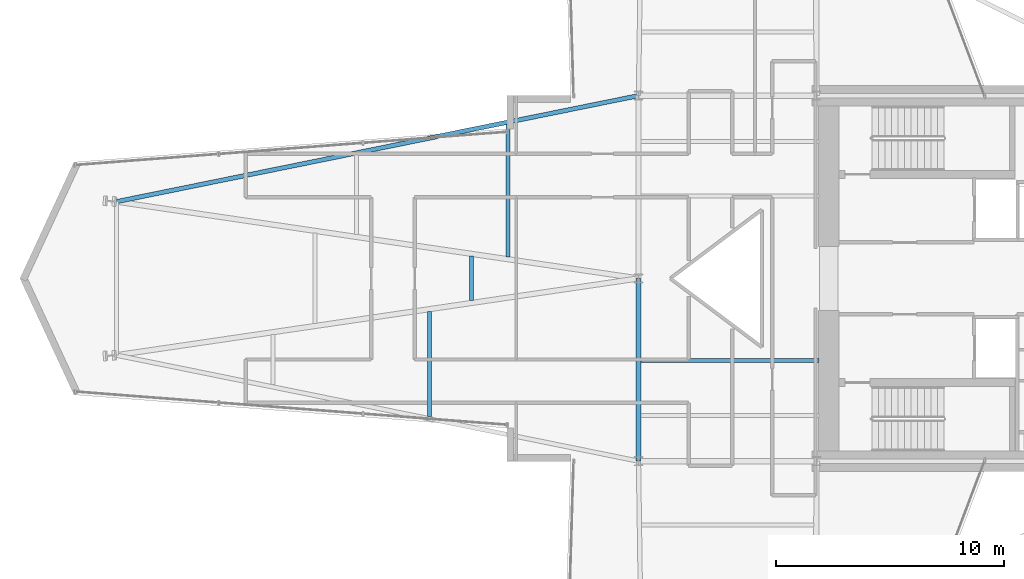
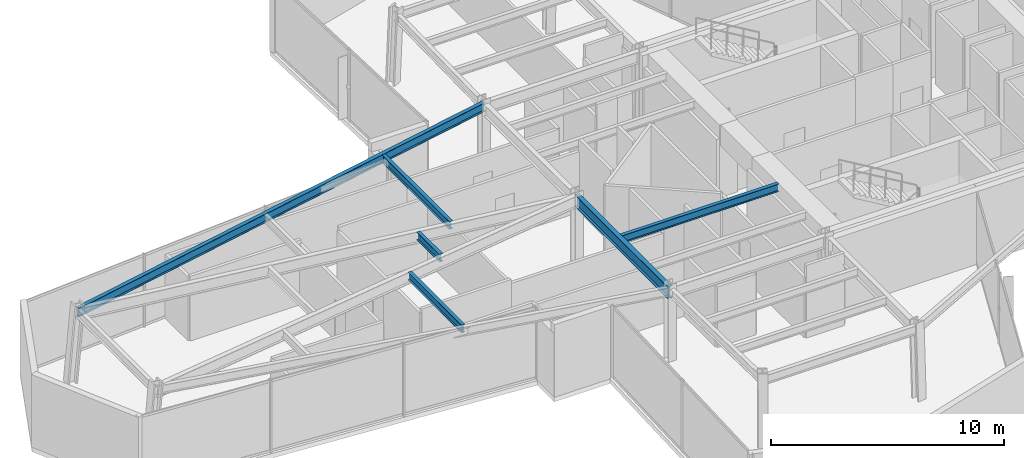
# One storey, part 11 of 28: 6 beams.
"""IFC4 building model written with IfcOpenShell, lengths in metres."""

from ifc_helpers import new_model, si_unit, direction, frame, origin, origin_2d, place, context, subcontext, project, spatial, i_section, extrude, material, material_profile, profile_set, type_object, element, save


model = new_model("IFC4")

# Units and contexts
model_context = context("Model", 3, precision=1e-05, world=origin(), true_north=direction((0.0, 1.0)))
body_context = subcontext(model_context, "Body", "Model", "MODEL_VIEW")
ifc_project = project(units=[si_unit("LENGTHUNIT", "METRE"), si_unit("AREAUNIT", "SQUARE_METRE"), si_unit("VOLUMEUNIT", "CUBIC_METRE"), si_unit("PLANEANGLEUNIT", "RADIAN"), si_unit("MASSUNIT", "GRAM", prefix="KILO")], contexts=[model_context])

# Site, building, storey
site_placement = place(None, origin())
site = spatial("IfcSite", under=ifc_project, at=site_placement, CompositionType="ELEMENT")
building_placement = place(site_placement, origin())
building = spatial("IfcBuilding", under=site, at=building_placement, Name="Veymaron Broadcast Tower", CompositionType="ELEMENT")
storey_placement = place(building_placement, frame((0.0, 0.0, 45.89990234375)))
storey = spatial("IfcBuildingStorey", under=building, at=storey_placement, Name="L09", CompositionType="ELEMENT", Elevation=45.89990234375)

# Beams
ifc_material = material(Name="Structural steel ASTM A992 Gr 50", Category="steel")
ifc_material_profile_1 = material_profile(ifc_material, i_section(OverallWidth=0.22998046875, OverallDepth=0.616943359375, WebThickness=0.01318359375, FlangeThickness=0.022216796875, at=origin_2d()), Name="W610X140")
ifc_profile_set_1 = profile_set([ifc_material_profile_1], Name="Structural steel ASTM A992 Gr 50")
beam_type_1 = type_object("IfcBeamType", Name="BM-FG1", PredefinedType="BEAM", material=ifc_profile_set_1)
beam_1_placement = place(storey_placement, frame((31.199951171875, 16.0, 3.501708984375), z_axis=(0.0, 1.0, 0.0), x_axis=(-1.0, 0.0, 0.0)))
element("IfcBeam", 1, at=beam_1_placement, inside=storey, type_object=beam_type_1, Name="L09 primary structural floor girder", PredefinedType="BEAM", context=body_context, shape_type="SweptSolid", body=[
    extrude(i_section(OverallWidth=0.22998046875, OverallDepth=0.616943359375, WebThickness=0.01318359375, FlangeThickness=0.022216796875, at=origin_2d()), origin(), (0.0, 0.0, 1.0), 8.0),
])
ifc_material_profile_2 = material_profile(ifc_material, i_section(OverallWidth=0.177978515625, OverallDepth=0.406982421875, WebThickness=0.0078125, FlangeThickness=0.0126953125, at=origin_2d()), Name="W410X60")
ifc_profile_set_2 = profile_set([ifc_material_profile_2], Name="Structural steel ASTM A992 Gr 50")
beam_type_2 = type_object("IfcBeamType", Name="BM-JS1", PredefinedType="JOIST", material=ifc_profile_set_2)
beam_2_placement = place(storey_placement, frame((22.060791015625, 17.9560546875, 3.606689453125), z_axis=(0.0, 1.0, 0.0), x_axis=(-1.0, 0.0, 0.0)))
element("IfcBeam", 2, at=beam_2_placement, inside=storey, type_object=beam_type_2, Name="L09 Arm-A secondary joist 2S", PredefinedType="JOIST", context=body_context, shape_type="SweptSolid", body=[
    extrude(i_section(OverallWidth=0.177978515625, OverallDepth=0.406982421875, WebThickness=0.0078125, FlangeThickness=0.0126953125, at=origin_2d()), origin(), (0.0, 0.0, 1.0), 4.599853515625),
])
beam_3_placement = place(storey_placement, frame((23.888671875, 23.02490234375, 3.606689453125), z_axis=(0.0, 1.0, 0.0), x_axis=(-1.0, 0.0, 0.0)))
element("IfcBeam", 3, at=beam_3_placement, inside=storey, type_object=beam_type_2, Name="L09 Arm-A secondary joist 2M", PredefinedType="JOIST", context=body_context, shape_type="SweptSolid", body=[
    extrude(i_section(OverallWidth=0.177978515625, OverallDepth=0.406982421875, WebThickness=0.0078125, FlangeThickness=0.0126953125, at=origin_2d()), origin(), (0.0, 0.0, 1.0), 1.9501953125),
])
beam_4_placement = place(storey_placement, frame((25.488037109375, 24.93994140625, 3.606689453125), z_axis=(0.0, 1.0, 0.0), x_axis=(-1.0, 0.0, 0.0)))
element("IfcBeam", 4, at=beam_4_placement, inside=storey, type_object=beam_type_2, Name="L09 Arm-A secondary joist 2N", PredefinedType="JOIST", context=body_context, shape_type="SweptSolid", body=[
    extrude(i_section(OverallWidth=0.177978515625, OverallDepth=0.406982421875, WebThickness=0.0078125, FlangeThickness=0.0126953125, at=origin_2d()), origin(), (0.0, 0.0, 1.0), 5.800048828125),
])
beam_5_placement = place(storey_placement, frame((31.300048828125, 20.39990234375, 3.606689453125), z_axis=(1.0, 0.0, 0.0), x_axis=(0.0, 1.0, 0.0)))
element("IfcBeam", 5, at=beam_5_placement, inside=storey, type_object=beam_type_2, Name="L09 Hub secondary joist 2", PredefinedType="JOIST", context=body_context, shape_type="SweptSolid", body=[
    extrude(i_section(OverallWidth=0.177978515625, OverallDepth=0.406982421875, WebThickness=0.0078125, FlangeThickness=0.0126953125, at=origin_2d()), origin(), (0.0, 0.0, 1.0), 7.800048828125),
])
ifc_material_profile_3 = material_profile(ifc_material, i_section(OverallWidth=0.19091796875, OverallDepth=0.4599609375, WebThickness=0.010009765625, FlangeThickness=0.01611328125, at=origin_2d()), Name="W460X82")
ifc_profile_set_3 = profile_set([ifc_material_profile_3], Name="Structural steel ASTM A992 Gr 50")
beam_type_3 = type_object("IfcBeamType", Name="BM-SP1", PredefinedType="SPANDREL", material=ifc_profile_set_3)
beam_6_placement = place(storey_placement, frame((8.35205078125, 27.360107421875, 3.580078125), z_axis=(0.979996415333, 0.199015139963, 0.0), x_axis=(-0.199015139963, 0.979996415333, 0.0)))
element("IfcBeam", 6, at=beam_6_placement, inside=storey, type_object=beam_type_3, Name="L09 primary structural floor girder", PredefinedType="SPANDREL", context=body_context, shape_type="SweptSolid", body=[
    extrude(i_section(OverallWidth=0.19091796875, OverallDepth=0.4599609375, WebThickness=0.010009765625, FlangeThickness=0.01611328125, at=origin_2d()), origin(), (0.0, 0.0, 1.0), 23.314208984375),
])

save(model, "model.ifc")
